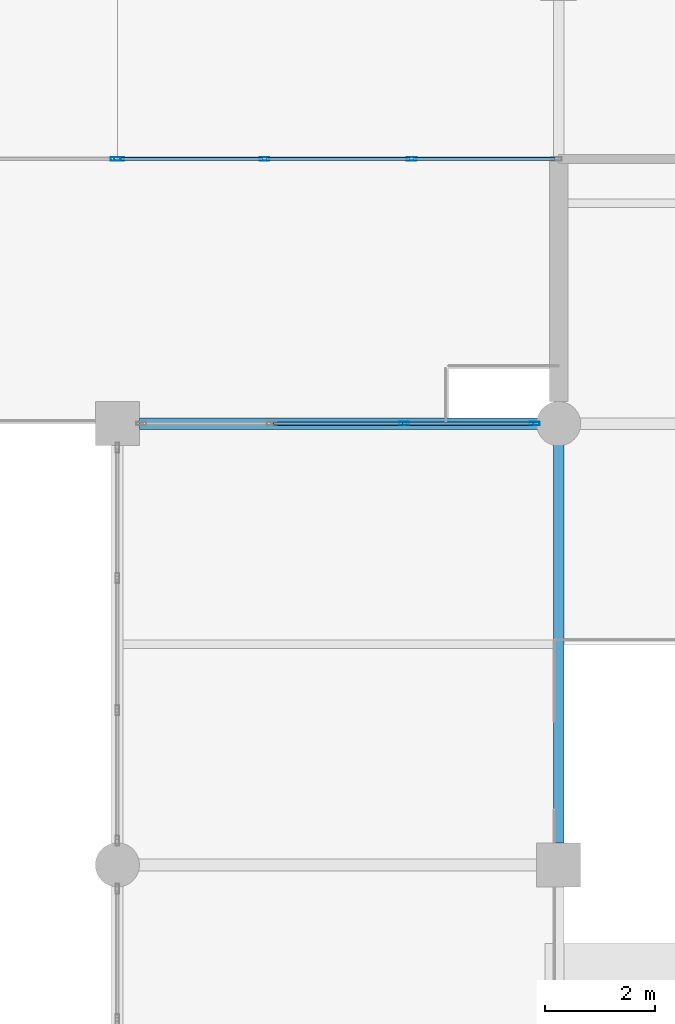
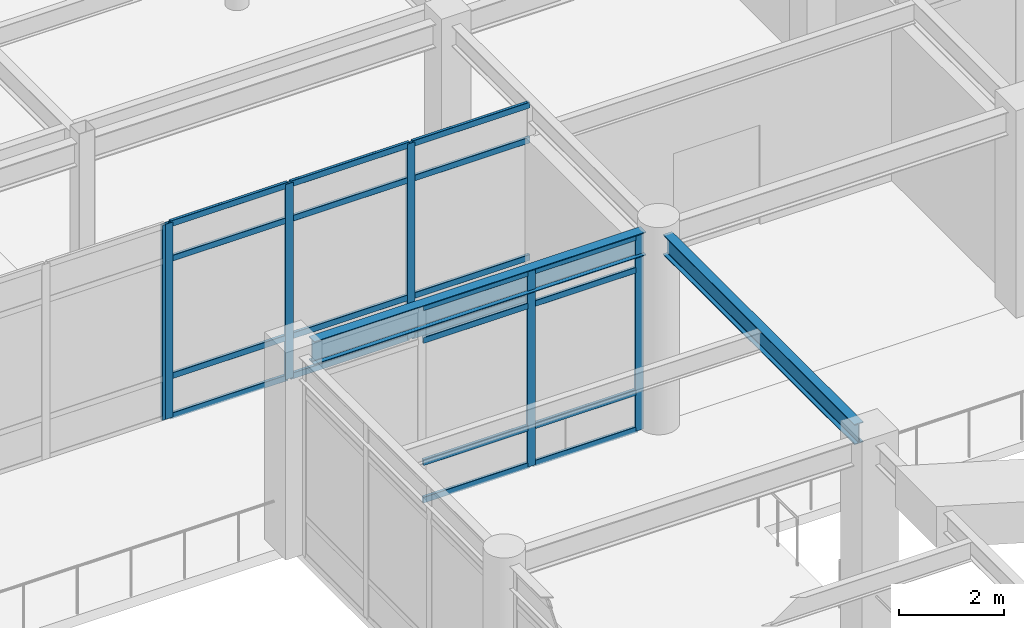
# One storey, part 52 of 117: 26 members, 2 beams, 3 elements without a shape of their own.
"""IFC4 building model written with IfcOpenShell, lengths in metres."""

from ifc_helpers import new_model, si_unit, direction, frame, origin, origin_2d, place, context, subcontext, project, spatial, hollow_rectangle, i_section, extrude, material, material_profile, profile_set, type_object, element, aggregate, save


model = new_model("IFC4")

# Units and contexts
model_context = context("Model", 3, precision=1e-05, world=origin(), true_north=direction((0.0, 1.0)))
body_context = subcontext(model_context, "Body", "Model", "MODEL_VIEW")
ifc_project = project(units=[si_unit("LENGTHUNIT", "METRE"), si_unit("AREAUNIT", "SQUARE_METRE"), si_unit("VOLUMEUNIT", "CUBIC_METRE"), si_unit("PLANEANGLEUNIT", "RADIAN"), si_unit("MASSUNIT", "GRAM", prefix="KILO")], contexts=[model_context])

# Site, building, storey
site_placement = place(None, origin())
site = spatial("IfcSite", under=ifc_project, at=site_placement, CompositionType="ELEMENT")
building_placement = place(site_placement, origin())
building = spatial("IfcBuilding", under=site, at=building_placement, Name="Solmirada Galleria", CompositionType="ELEMENT")
storey_placement = place(building_placement, frame((0.0, 0.0, 5.60009765625)))
storey = spatial("IfcBuildingStorey", under=building, at=storey_placement, Name="L01", CompositionType="ELEMENT", Elevation=5.60009765625)

# Beams
ifc_material_1 = material(Name="Steel S355 / ASTM A992 Grade 50", Category="steel")
ifc_material_profile_1 = material_profile(ifc_material_1, i_section(OverallWidth=0.194091796875, OverallDepth=0.468994140625, WebThickness=0.0126953125, FlangeThickness=0.0205078125, FilletRadius=0.013916015625, at=origin_2d()), Name="W18X71")
ifc_profile_set_1 = profile_set([ifc_material_profile_1], Name="Steel S355 / ASTM A992 Grade 50")
beam_type_1 = type_object("IfcBeamType", Name="BM-GIRD-W18B", PredefinedType="BEAM", material=ifc_profile_set_1)
beam_1_placement = place(storey_placement, frame((88.0, 64.39990234375, 4.365478515625), z_axis=(0.0, 1.0, 0.0), x_axis=(-1.0, 0.0, 0.0)))
element("IfcBeam", 1, at=beam_1_placement, inside=storey, type_object=beam_type_1, Name="Primary girder L02 Y(88, 64..72)", PredefinedType="BEAM", context=body_context, shape_type="SweptSolid", body=[
    extrude(i_section(OverallWidth=0.194091796875, OverallDepth=0.468994140625, WebThickness=0.0126953125, FlangeThickness=0.0205078125, FilletRadius=0.013916015625, at=origin_2d()), origin(), (0.0, 0.0, 1.0), 7.26416015625),
])
ifc_material_profile_2 = material_profile(ifc_material_1, i_section(OverallWidth=0.2099609375, OverallDepth=0.537109375, WebThickness=0.010986328125, FlangeThickness=0.017333984375, FilletRadius=0.014892578125, at=origin_2d()), Name="W21X68")
ifc_profile_set_2 = profile_set([ifc_material_profile_2], Name="Steel S355 / ASTM A992 Grade 50")
beam_type_2 = type_object("IfcBeamType", Name="BM-GIRD-W21B", PredefinedType="BEAM", material=ifc_profile_set_2)
beam_2_placement = place(storey_placement, frame((80.39990234375, 72.0, 4.331298828125), z_axis=(1.0, 0.0, 0.0), x_axis=(0.0, 1.0, 0.0)))
element("IfcBeam", 2, at=beam_2_placement, inside=storey, type_object=beam_type_2, Name="Primary beam L02 X(80..88, 72)", PredefinedType="BEAM", context=body_context, shape_type="SweptSolid", body=[
    extrude(i_section(OverallWidth=0.2099609375, OverallDepth=0.537109375, WebThickness=0.010986328125, FlangeThickness=0.017333984375, FilletRadius=0.014892578125, at=origin_2d()), origin(), (0.0, 0.0, 1.0), 7.26416015625),
])

# Curtain wall, members
ifc_material_2 = material(Name="Impact-resistant low-E double glazing", Category="glass")
curtain_wall_type_1 = type_object("IfcCurtainWallType", Name="CW-FZ3-L01-B3-L072", PredefinedType="NOTDEFINED", material=ifc_material_2)
curtain_wall_1_placement = place(storey_placement, origin())
curtain_wall_1 = element("IfcCurtainWall", 3, at=curtain_wall_1_placement, inside=storey, type_object=curtain_wall_type_1, Name="Terrace and arcade storefront CW-L01-047", PredefinedType="NOTDEFINED")
ifc_material_3 = material(Name="Anodised aluminium framing", Category="aluminium")
ifc_material_profile_3 = material_profile(ifc_material_3, hollow_rectangle(XDim=0.06494140625, YDim=0.179931640625, WallThickness=0.00390625, InnerFilletRadius=0.00390625, OuterFilletRadius=0.008056640625, at=origin_2d()), Name="ALU-MULL-180X65")
ifc_profile_set_3 = profile_set([ifc_material_profile_3], Name="Anodised aluminium framing")
member_type_1 = type_object("IfcMemberType", Name="CW-MULL-180", PredefinedType="MULLION", material=ifc_profile_set_3)
member_1_placement = place(storey_placement, frame((85.19921875, 72.0, 0.0), z_axis=(0.0, 0.0, 1.0), x_axis=(0.0, 1.0, 0.0)))
member_1 = element("IfcMember", 4, at=member_1_placement, type_object=member_type_1, Name="CW12 mullion 3", PredefinedType="MULLION", context=body_context, shape_type="SweptSolid", body=[
    extrude(hollow_rectangle(XDim=0.06494140625, YDim=0.179931640625, WallThickness=0.00390625, InnerFilletRadius=0.00390625, OuterFilletRadius=0.008056640625, at=origin_2d()), origin(), (0.0, 0.0, 1.0), 4.52001953125),
])
member_2_placement = place(storey_placement, frame((87.5654296875, 72.0, 0.0), z_axis=(0.0, 0.0, 1.0), x_axis=(0.0, 1.0, 0.0)))
member_2 = element("IfcMember", 5, at=member_2_placement, type_object=member_type_1, Name="CW12 mullion 4", PredefinedType="MULLION", context=body_context, shape_type="SweptSolid", body=[
    extrude(hollow_rectangle(XDim=0.06494140625, YDim=0.179931640625, WallThickness=0.00390625, InnerFilletRadius=0.00390625, OuterFilletRadius=0.008056640625, at=origin_2d()), origin(), (0.0, 0.0, 1.0), 4.52001953125),
])

curtain_wall_type_2 = type_object("IfcCurtainWallType", Name="CW-FZ4-L01-B3-L080", PredefinedType="NOTDEFINED", material=ifc_material_2)
curtain_wall_2_placement = place(storey_placement, origin())
curtain_wall_2 = element("IfcCurtainWall", 6, at=curtain_wall_2_placement, inside=storey, type_object=curtain_wall_type_2, Name="Terrace and arcade storefront CW-L01-048", PredefinedType="NOTDEFINED")
member_3_placement = place(storey_placement, frame((85.333251953125, 76.800048828125, 0.0), z_axis=(0.0, 0.0, 1.0), x_axis=(0.0, -1.0, 0.0)))
member_3 = element("IfcMember", 7, at=member_3_placement, type_object=member_type_1, Name="CW13 mullion 2", PredefinedType="MULLION", context=body_context, shape_type="SweptSolid", body=[
    extrude(hollow_rectangle(XDim=0.06494140625, YDim=0.179931640625, WallThickness=0.00390625, InnerFilletRadius=0.00390625, OuterFilletRadius=0.008056640625, at=origin_2d()), origin(), (0.0, 0.0, 1.0), 4.52001953125),
])
member_4_placement = place(storey_placement, frame((82.666748046875, 76.800048828125, 0.0), z_axis=(0.0, 0.0, 1.0), x_axis=(0.0, -1.0, 0.0)))
member_4 = element("IfcMember", 8, at=member_4_placement, type_object=member_type_1, Name="CW13 mullion 3", PredefinedType="MULLION", context=body_context, shape_type="SweptSolid", body=[
    extrude(hollow_rectangle(XDim=0.06494140625, YDim=0.179931640625, WallThickness=0.00390625, InnerFilletRadius=0.00390625, OuterFilletRadius=0.008056640625, at=origin_2d()), origin(), (0.0, 0.0, 1.0), 4.52001953125),
])
member_5_placement = place(storey_placement, frame((80.032470703125, 76.800048828125, 0.0), z_axis=(0.0, 0.0, 1.0), x_axis=(0.0, -1.0, 0.0)))
member_5 = element("IfcMember", 9, at=member_5_placement, type_object=member_type_1, Name="CW13 mullion 4", PredefinedType="MULLION", context=body_context, shape_type="SweptSolid", body=[
    extrude(hollow_rectangle(XDim=0.06494140625, YDim=0.179931640625, WallThickness=0.00390625, InnerFilletRadius=0.00390625, OuterFilletRadius=0.008056640625, at=origin_2d()), origin(), (0.0, 0.0, 1.0), 4.52001953125),
])

# Curtain wall, member
curtain_wall_3_placement = place(storey_placement, origin())
curtain_wall_3 = element("IfcCurtainWall", 10, at=curtain_wall_3_placement, inside=storey, type_object=curtain_wall_type_2, Name="Terrace and arcade storefront CW-L01-049", PredefinedType="NOTDEFINED")
member_6_placement = place(storey_placement, frame((79.967529296875, 76.800048828125, 0.0), z_axis=(0.0, 0.0, 1.0), x_axis=(0.0, -1.0, 0.0)))
member_6 = element("IfcMember", 11, at=member_6_placement, type_object=member_type_1, Name="CW13 mullion 1", PredefinedType="MULLION", context=body_context, shape_type="SweptSolid", body=[
    extrude(hollow_rectangle(XDim=0.06494140625, YDim=0.179931640625, WallThickness=0.00390625, InnerFilletRadius=0.00390625, OuterFilletRadius=0.008056640625, at=origin_2d()), origin(), (0.0, 0.0, 1.0), 4.52001953125),
])
aggregate(curtain_wall_3, [member_6])

# Member
ifc_material_profile_4 = material_profile(ifc_material_3, hollow_rectangle(XDim=0.06494140625, YDim=0.139892578125, WallThickness=0.00341796875, InnerFilletRadius=0.00341796875, OuterFilletRadius=0.007080078125, at=origin_2d()), Name="ALU-TRAN-140X65")
ifc_profile_set_4 = profile_set([ifc_material_profile_4], Name="Anodised aluminium framing")
member_type_2 = type_object("IfcMemberType", Name="CW-TRAN-140", PredefinedType="USERDEFINED", material=ifc_profile_set_4)
member_7_placement = place(storey_placement, frame((82.833251953125, 72.0, 0.032470703125), z_axis=(1.0, 0.0, 0.0), x_axis=(0.0, 1.0, 0.0)))
member_7 = element("IfcMember", 12, at=member_7_placement, type_object=member_type_2, Name="CW12 transom 2.1", ObjectType="TRANSOM", PredefinedType="USERDEFINED", context=body_context, shape_type="SweptSolid", body=[
    extrude(hollow_rectangle(XDim=0.06494140625, YDim=0.139892578125, WallThickness=0.00341796875, InnerFilletRadius=0.00341796875, OuterFilletRadius=0.007080078125, at=origin_2d()), origin(), (0.0, 0.0, 1.0), 2.33349609375),
])

member_8_placement = place(storey_placement, frame((82.833251953125, 72.0, 0.89990234375), z_axis=(1.0, 0.0, 0.0), x_axis=(0.0, 1.0, 0.0)))
member_8 = element("IfcMember", 13, at=member_8_placement, type_object=member_type_2, Name="CW12 transom 2.2", ObjectType="TRANSOM", PredefinedType="USERDEFINED", context=body_context, shape_type="SweptSolid", body=[
    extrude(hollow_rectangle(XDim=0.06494140625, YDim=0.139892578125, WallThickness=0.00341796875, InnerFilletRadius=0.00341796875, OuterFilletRadius=0.007080078125, at=origin_2d()), origin(), (0.0, 0.0, 1.0), 2.33349609375),
])

member_9_placement = place(storey_placement, frame((82.833251953125, 72.0, 3.72998046875), z_axis=(1.0, 0.0, 0.0), x_axis=(0.0, 1.0, 0.0)))
member_9 = element("IfcMember", 14, at=member_9_placement, type_object=member_type_2, Name="CW12 transom 2.3", ObjectType="TRANSOM", PredefinedType="USERDEFINED", context=body_context, shape_type="SweptSolid", body=[
    extrude(hollow_rectangle(XDim=0.06494140625, YDim=0.139892578125, WallThickness=0.00341796875, InnerFilletRadius=0.00341796875, OuterFilletRadius=0.007080078125, at=origin_2d()), origin(), (0.0, 0.0, 1.0), 2.33349609375),
])

member_10_placement = place(storey_placement, frame((82.833251953125, 72.0, 4.4873046875), z_axis=(1.0, 0.0, 0.0), x_axis=(0.0, 1.0, 0.0)))
member_10 = element("IfcMember", 15, at=member_10_placement, type_object=member_type_2, Name="CW12 transom 2.4", ObjectType="TRANSOM", PredefinedType="USERDEFINED", context=body_context, shape_type="SweptSolid", body=[
    extrude(hollow_rectangle(XDim=0.06494140625, YDim=0.139892578125, WallThickness=0.00341796875, InnerFilletRadius=0.00341796875, OuterFilletRadius=0.007080078125, at=origin_2d()), origin(), (0.0, 0.0, 1.0), 2.33349609375),
])

member_11_placement = place(storey_placement, frame((85.23193359375, 72.0, 0.032470703125), z_axis=(1.0, 0.0, 0.0), x_axis=(0.0, 1.0, 0.0)))
member_11 = element("IfcMember", 16, at=member_11_placement, type_object=member_type_2, Name="CW12 transom 3.1", ObjectType="TRANSOM", PredefinedType="USERDEFINED", context=body_context, shape_type="SweptSolid", body=[
    extrude(hollow_rectangle(XDim=0.06494140625, YDim=0.139892578125, WallThickness=0.00341796875, InnerFilletRadius=0.00341796875, OuterFilletRadius=0.007080078125, at=origin_2d()), origin(), (0.0, 0.0, 1.0), 2.301025390625),
])

member_12_placement = place(storey_placement, frame((85.23193359375, 72.0, 0.89990234375), z_axis=(1.0, 0.0, 0.0), x_axis=(0.0, 1.0, 0.0)))
member_12 = element("IfcMember", 17, at=member_12_placement, type_object=member_type_2, Name="CW12 transom 3.2", ObjectType="TRANSOM", PredefinedType="USERDEFINED", context=body_context, shape_type="SweptSolid", body=[
    extrude(hollow_rectangle(XDim=0.06494140625, YDim=0.139892578125, WallThickness=0.00341796875, InnerFilletRadius=0.00341796875, OuterFilletRadius=0.007080078125, at=origin_2d()), origin(), (0.0, 0.0, 1.0), 2.301025390625),
])

member_13_placement = place(storey_placement, frame((85.23193359375, 72.0, 3.72998046875), z_axis=(1.0, 0.0, 0.0), x_axis=(0.0, 1.0, 0.0)))
member_13 = element("IfcMember", 18, at=member_13_placement, type_object=member_type_2, Name="CW12 transom 3.3", ObjectType="TRANSOM", PredefinedType="USERDEFINED", context=body_context, shape_type="SweptSolid", body=[
    extrude(hollow_rectangle(XDim=0.06494140625, YDim=0.139892578125, WallThickness=0.00341796875, InnerFilletRadius=0.00341796875, OuterFilletRadius=0.007080078125, at=origin_2d()), origin(), (0.0, 0.0, 1.0), 2.301025390625),
])

member_14_placement = place(storey_placement, frame((85.23193359375, 72.0, 4.4873046875), z_axis=(1.0, 0.0, 0.0), x_axis=(0.0, 1.0, 0.0)))
member_14 = element("IfcMember", 19, at=member_14_placement, type_object=member_type_2, Name="CW12 transom 3.4", ObjectType="TRANSOM", PredefinedType="USERDEFINED", context=body_context, shape_type="SweptSolid", body=[
    extrude(hollow_rectangle(XDim=0.06494140625, YDim=0.139892578125, WallThickness=0.00341796875, InnerFilletRadius=0.00341796875, OuterFilletRadius=0.007080078125, at=origin_2d()), origin(), (0.0, 0.0, 1.0), 2.301025390625),
])

aggregate(curtain_wall_1, [member_1, member_2, member_7, member_8, member_9, member_10, member_11, member_12, member_13, member_14])

member_15_placement = place(storey_placement, frame((87.93505859375, 76.800048828125, 0.032470703125), z_axis=(-1.0, 0.0, 0.0), x_axis=(0.0, -1.0, 0.0)))
member_15 = element("IfcMember", 20, at=member_15_placement, type_object=member_type_2, Name="CW13 transom 1.1", ObjectType="TRANSOM", PredefinedType="USERDEFINED", context=body_context, shape_type="SweptSolid", body=[
    extrude(hollow_rectangle(XDim=0.06494140625, YDim=0.139892578125, WallThickness=0.00341796875, InnerFilletRadius=0.00341796875, OuterFilletRadius=0.007080078125, at=origin_2d()), origin(), (0.0, 0.0, 1.0), 2.5693359375),
])

member_16_placement = place(storey_placement, frame((87.93505859375, 76.800048828125, 0.9599609375), z_axis=(-1.0, 0.0, 0.0), x_axis=(0.0, -1.0, 0.0)))
member_16 = element("IfcMember", 21, at=member_16_placement, type_object=member_type_2, Name="CW13 transom 1.2", ObjectType="TRANSOM", PredefinedType="USERDEFINED", context=body_context, shape_type="SweptSolid", body=[
    extrude(hollow_rectangle(XDim=0.06494140625, YDim=0.139892578125, WallThickness=0.00341796875, InnerFilletRadius=0.00341796875, OuterFilletRadius=0.007080078125, at=origin_2d()), origin(), (0.0, 0.0, 1.0), 2.5693359375),
])

member_17_placement = place(storey_placement, frame((87.93505859375, 76.800048828125, 3.679931640625), z_axis=(-1.0, 0.0, 0.0), x_axis=(0.0, -1.0, 0.0)))
member_17 = element("IfcMember", 22, at=member_17_placement, type_object=member_type_2, Name="CW13 transom 1.3", ObjectType="TRANSOM", PredefinedType="USERDEFINED", context=body_context, shape_type="SweptSolid", body=[
    extrude(hollow_rectangle(XDim=0.06494140625, YDim=0.139892578125, WallThickness=0.00341796875, InnerFilletRadius=0.00341796875, OuterFilletRadius=0.007080078125, at=origin_2d()), origin(), (0.0, 0.0, 1.0), 2.5693359375),
])

member_18_placement = place(storey_placement, frame((87.93505859375, 76.800048828125, 4.4873046875), z_axis=(-1.0, 0.0, 0.0), x_axis=(0.0, -1.0, 0.0)))
member_18 = element("IfcMember", 23, at=member_18_placement, type_object=member_type_2, Name="CW13 transom 1.4", ObjectType="TRANSOM", PredefinedType="USERDEFINED", context=body_context, shape_type="SweptSolid", body=[
    extrude(hollow_rectangle(XDim=0.06494140625, YDim=0.139892578125, WallThickness=0.00341796875, InnerFilletRadius=0.00341796875, OuterFilletRadius=0.007080078125, at=origin_2d()), origin(), (0.0, 0.0, 1.0), 2.5693359375),
])

member_19_placement = place(storey_placement, frame((85.30078125, 76.800048828125, 0.032470703125), z_axis=(-1.0, 0.0, 0.0), x_axis=(0.0, -1.0, 0.0)))
member_19 = element("IfcMember", 24, at=member_19_placement, type_object=member_type_2, Name="CW13 transom 2.1", ObjectType="TRANSOM", PredefinedType="USERDEFINED", context=body_context, shape_type="SweptSolid", body=[
    extrude(hollow_rectangle(XDim=0.06494140625, YDim=0.139892578125, WallThickness=0.00341796875, InnerFilletRadius=0.00341796875, OuterFilletRadius=0.007080078125, at=origin_2d()), origin(), (0.0, 0.0, 1.0), 2.6015625),
])

member_20_placement = place(storey_placement, frame((85.30078125, 76.800048828125, 0.9599609375), z_axis=(-1.0, 0.0, 0.0), x_axis=(0.0, -1.0, 0.0)))
member_20 = element("IfcMember", 25, at=member_20_placement, type_object=member_type_2, Name="CW13 transom 2.2", ObjectType="TRANSOM", PredefinedType="USERDEFINED", context=body_context, shape_type="SweptSolid", body=[
    extrude(hollow_rectangle(XDim=0.06494140625, YDim=0.139892578125, WallThickness=0.00341796875, InnerFilletRadius=0.00341796875, OuterFilletRadius=0.007080078125, at=origin_2d()), origin(), (0.0, 0.0, 1.0), 2.6015625),
])

member_21_placement = place(storey_placement, frame((85.30078125, 76.800048828125, 3.679931640625), z_axis=(-1.0, 0.0, 0.0), x_axis=(0.0, -1.0, 0.0)))
member_21 = element("IfcMember", 26, at=member_21_placement, type_object=member_type_2, Name="CW13 transom 2.3", ObjectType="TRANSOM", PredefinedType="USERDEFINED", context=body_context, shape_type="SweptSolid", body=[
    extrude(hollow_rectangle(XDim=0.06494140625, YDim=0.139892578125, WallThickness=0.00341796875, InnerFilletRadius=0.00341796875, OuterFilletRadius=0.007080078125, at=origin_2d()), origin(), (0.0, 0.0, 1.0), 2.6015625),
])

member_22_placement = place(storey_placement, frame((85.30078125, 76.800048828125, 4.4873046875), z_axis=(-1.0, 0.0, 0.0), x_axis=(0.0, -1.0, 0.0)))
member_22 = element("IfcMember", 27, at=member_22_placement, type_object=member_type_2, Name="CW13 transom 2.4", ObjectType="TRANSOM", PredefinedType="USERDEFINED", context=body_context, shape_type="SweptSolid", body=[
    extrude(hollow_rectangle(XDim=0.06494140625, YDim=0.139892578125, WallThickness=0.00341796875, InnerFilletRadius=0.00341796875, OuterFilletRadius=0.007080078125, at=origin_2d()), origin(), (0.0, 0.0, 1.0), 2.6015625),
])

member_23_placement = place(storey_placement, frame((82.63427734375, 76.800048828125, 0.032470703125), z_axis=(-1.0, 0.0, 0.0), x_axis=(0.0, -1.0, 0.0)))
member_23 = element("IfcMember", 28, at=member_23_placement, type_object=member_type_2, Name="CW13 transom 3.1", ObjectType="TRANSOM", PredefinedType="USERDEFINED", context=body_context, shape_type="SweptSolid", body=[
    extrude(hollow_rectangle(XDim=0.06494140625, YDim=0.139892578125, WallThickness=0.00341796875, InnerFilletRadius=0.00341796875, OuterFilletRadius=0.007080078125, at=origin_2d()), origin(), (0.0, 0.0, 1.0), 2.5693359375),
])

member_24_placement = place(storey_placement, frame((82.63427734375, 76.800048828125, 0.9599609375), z_axis=(-1.0, 0.0, 0.0), x_axis=(0.0, -1.0, 0.0)))
member_24 = element("IfcMember", 29, at=member_24_placement, type_object=member_type_2, Name="CW13 transom 3.2", ObjectType="TRANSOM", PredefinedType="USERDEFINED", context=body_context, shape_type="SweptSolid", body=[
    extrude(hollow_rectangle(XDim=0.06494140625, YDim=0.139892578125, WallThickness=0.00341796875, InnerFilletRadius=0.00341796875, OuterFilletRadius=0.007080078125, at=origin_2d()), origin(), (0.0, 0.0, 1.0), 2.5693359375),
])

member_25_placement = place(storey_placement, frame((82.63427734375, 76.800048828125, 3.679931640625), z_axis=(-1.0, 0.0, 0.0), x_axis=(0.0, -1.0, 0.0)))
member_25 = element("IfcMember", 30, at=member_25_placement, type_object=member_type_2, Name="CW13 transom 3.3", ObjectType="TRANSOM", PredefinedType="USERDEFINED", context=body_context, shape_type="SweptSolid", body=[
    extrude(hollow_rectangle(XDim=0.06494140625, YDim=0.139892578125, WallThickness=0.00341796875, InnerFilletRadius=0.00341796875, OuterFilletRadius=0.007080078125, at=origin_2d()), origin(), (0.0, 0.0, 1.0), 2.5693359375),
])

member_26_placement = place(storey_placement, frame((82.63427734375, 76.800048828125, 4.4873046875), z_axis=(-1.0, 0.0, 0.0), x_axis=(0.0, -1.0, 0.0)))
member_26 = element("IfcMember", 31, at=member_26_placement, type_object=member_type_2, Name="CW13 transom 3.4", ObjectType="TRANSOM", PredefinedType="USERDEFINED", context=body_context, shape_type="SweptSolid", body=[
    extrude(hollow_rectangle(XDim=0.06494140625, YDim=0.139892578125, WallThickness=0.00341796875, InnerFilletRadius=0.00341796875, OuterFilletRadius=0.007080078125, at=origin_2d()), origin(), (0.0, 0.0, 1.0), 2.5693359375),
])

aggregate(curtain_wall_2, [member_3, member_4, member_5, member_15, member_16, member_17, member_18, member_19, member_20, member_21, member_22, member_23, member_24, member_25, member_26])

save(model, "model.ifc")
